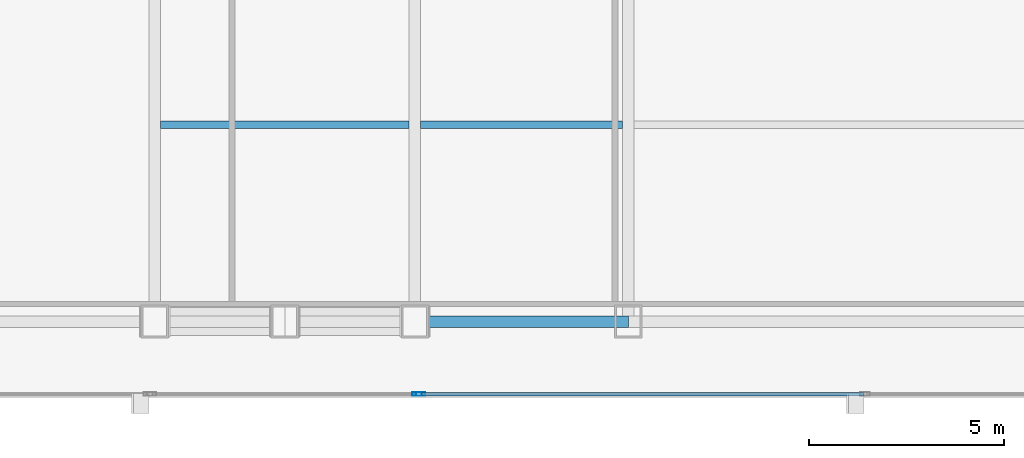
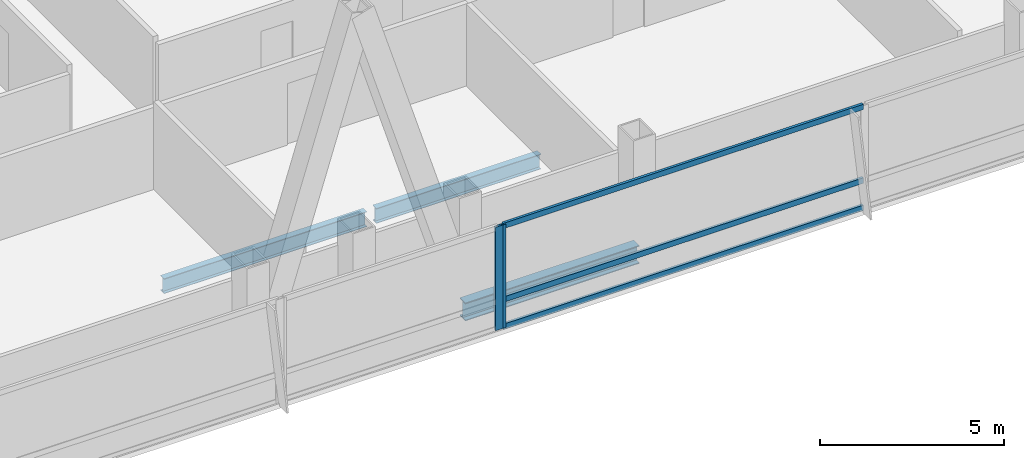
# One storey, part 8 of 30: 5 members, 3 beams, 2 elements without a shape of their own.
"""IFC4 building model written with IfcOpenShell, lengths in metres."""

from ifc_helpers import new_model, si_unit, direction, frame, origin, origin_2d, place, context, subcontext, project, spatial, hollow_rectangle, i_section, extrude, material, material_profile, profile_set, type_object, element, aggregate, save


model = new_model("IFC4")

# Units and contexts
model_context = context("Model", 3, precision=1e-05, world=origin(), true_north=direction((0.0, 1.0)))
body_context = subcontext(model_context, "Body", "Model", "MODEL_VIEW")
ifc_project = project(units=[si_unit("LENGTHUNIT", "METRE"), si_unit("AREAUNIT", "SQUARE_METRE"), si_unit("VOLUMEUNIT", "CUBIC_METRE"), si_unit("PLANEANGLEUNIT", "RADIAN"), si_unit("MASSUNIT", "GRAM", prefix="KILO")], contexts=[model_context])

# Site, building, storey
site_placement = place(None, origin())
site = spatial("IfcSite", under=ifc_project, at=site_placement, CompositionType="ELEMENT")
building_placement = place(site_placement, origin())
building = spatial("IfcBuilding", under=site, at=building_placement, Name="Khoronbel Lancet Exchange", CompositionType="ELEMENT")
storey_placement = place(building_placement, frame((0.0, 0.0, 147.0)))
storey = spatial("IfcBuildingStorey", under=building, at=storey_placement, Name="L36", CompositionType="ELEMENT", Elevation=147.0)

# Beams
ifc_material_1 = material(Name="Steel S355", Category="steel")
ifc_material_profile_1 = material_profile(ifc_material_1, i_section(OverallWidth=0.199951171875, OverallDepth=0.5, WebThickness=0.01025390625, FlangeThickness=0.01611328125, at=origin_2d()), Name="IPE 500")
ifc_profile_set_1 = profile_set([ifc_material_profile_1], Name="Steel S355")
beam_type_1 = type_object("IfcBeamType", Name="BM-BJ3", PredefinedType="JOIST", material=ifc_profile_set_1)
beam_1_placement = place(storey_placement, frame((18.375, 15.199951171875, -0.409912109375), z_axis=(1.0, 0.0, 0.0), x_axis=(0.0, 1.0, 0.0)))
element("IfcBeam", 1, at=beam_1_placement, inside=storey, type_object=beam_type_1, Name="Level L36 secondary composite joist J01", PredefinedType="JOIST", context=body_context, shape_type="SweptSolid", body=[
    extrude(i_section(OverallWidth=0.199951171875, OverallDepth=0.5, WebThickness=0.01025390625, FlangeThickness=0.01611328125, at=origin_2d()), origin(), (0.0, 0.0, 1.0), 6.375),
])
beam_2_placement = place(storey_placement, frame((25.050048828125, 15.199951171875, -0.409912109375), z_axis=(1.0, 0.0, 0.0), x_axis=(0.0, 1.0, 0.0)))
element("IfcBeam", 2, at=beam_2_placement, inside=storey, type_object=beam_type_1, Name="Level L36 secondary composite joist J02", PredefinedType="JOIST", context=body_context, shape_type="SweptSolid", body=[
    extrude(i_section(OverallWidth=0.199951171875, OverallDepth=0.5, WebThickness=0.01025390625, FlangeThickness=0.01611328125, at=origin_2d()), origin(), (0.0, 0.0, 1.0), 5.175048828125),
])
ifc_material_profile_2 = material_profile(ifc_material_1, i_section(OverallWidth=0.300048828125, OverallDepth=0.60009765625, WebThickness=0.015380859375, FlangeThickness=0.030029296875, at=origin_2d()), Name="HEB 600")
ifc_profile_set_2 = profile_set([ifc_material_profile_2], Name="Steel S355")
beam_type_2 = type_object("IfcBeamType", Name="BM-BSP2", PredefinedType="SPANDREL", material=ifc_profile_set_2)
beam_3_placement = place(storey_placement, frame((24.89990234375, 10.14990234375, -0.4599609375), z_axis=(1.0, 0.0, 0.0), x_axis=(0.0, 1.0, 0.0)))
element("IfcBeam", 3, at=beam_3_placement, inside=storey, type_object=beam_type_2, Name="Level L36 perimeter spandrel beam SP04", PredefinedType="SPANDREL", context=body_context, shape_type="SweptSolid", body=[
    extrude(i_section(OverallWidth=0.300048828125, OverallDepth=0.60009765625, WebThickness=0.015380859375, FlangeThickness=0.030029296875, at=origin_2d()), origin(), (0.0, 0.0, 1.0), 5.47509765625),
])

# Curtain wall, member
ifc_material_2 = material(Name="Low-E Solar Control Insulating Glass", Category="glass")
curtain_wall_type = type_object("IfcCurtainWallType", Name="CW-3", PredefinedType="NOTDEFINED", material=ifc_material_2)
curtain_wall_1_placement = place(storey_placement, origin())
curtain_wall_1 = element("IfcCurtainWall", 4, at=curtain_wall_1_placement, inside=storey, type_object=curtain_wall_type, Name="Unitised curtain wall CW-L36-SWB", PredefinedType="NOTDEFINED")
ifc_material_3 = material(Name="Bronze-Anodised Aluminium 6063-T6", Category="aluminium")
ifc_material_profile_3 = material_profile(ifc_material_3, hollow_rectangle(XDim=0.0849609375, YDim=0.239990234375, WallThickness=0.006103515625, at=origin_2d()), Name="ALU MULLION 85x240")
ifc_profile_set_3 = profile_set([ifc_material_profile_3], Name="Bronze-Anodised Aluminium 6063-T6")
member_type_1 = type_object("IfcMemberType", Name="MEM-CWM1", PredefinedType="MULLION", material=ifc_profile_set_3)
member_1_placement = place(storey_placement, frame((24.95751953125, 8.2900390625, 0.0), z_axis=(0.0, 0.0, 1.0), x_axis=(0.0, 1.0, 0.0)))
member_1 = element("IfcMember", 5, at=member_1_placement, type_object=member_type_1, Name="CW3 mullion 2", PredefinedType="MULLION", context=body_context, shape_type="SweptSolid", body=[
    extrude(hollow_rectangle(XDim=0.0849609375, YDim=0.239990234375, WallThickness=0.006103515625, at=origin_2d()), origin(), (0.0, 0.0, 1.0), 3.43994140625),
])
aggregate(curtain_wall_1, [member_1])

# Curtain wall, members
curtain_wall_2_placement = place(storey_placement, origin())
curtain_wall_2 = element("IfcCurtainWall", 6, at=curtain_wall_2_placement, inside=storey, type_object=curtain_wall_type, Name="Unitised curtain wall CW-L36-SCV", PredefinedType="NOTDEFINED")
member_2_placement = place(storey_placement, frame((25.04248046875, 8.2900390625, 0.0), z_axis=(0.0, 0.0, 1.0), x_axis=(0.0, 1.0, 0.0)))
member_2 = element("IfcMember", 7, at=member_2_placement, type_object=member_type_1, Name="CW3 mullion 1", PredefinedType="MULLION", context=body_context, shape_type="SweptSolid", body=[
    extrude(hollow_rectangle(XDim=0.0849609375, YDim=0.239990234375, WallThickness=0.006103515625, at=origin_2d()), origin(), (0.0, 0.0, 1.0), 3.43994140625),
])
ifc_material_profile_4 = material_profile(ifc_material_3, hollow_rectangle(XDim=0.0849609375, YDim=0.179931640625, WallThickness=0.0048828125, at=origin_2d()), Name="ALU TRANSOM 85x180")
ifc_profile_set_4 = profile_set([ifc_material_profile_4], Name="Bronze-Anodised Aluminium 6063-T6")
member_type_2 = type_object("IfcMemberType", Name="MEM-CWT1", PredefinedType="USERDEFINED", material=ifc_profile_set_4)
member_3_placement = place(storey_placement, frame((25.0849609375, 8.2900390625, 0.04248046875), z_axis=(1.0, 0.0, 0.0), x_axis=(0.0, 1.0, 0.0)))
member_3 = element("IfcMember", 8, at=member_3_placement, type_object=member_type_2, Name="CW3 transom 1.1", ObjectType="TRANSOM", PredefinedType="USERDEFINED", context=body_context, shape_type="SweptSolid", body=[
    extrude(hollow_rectangle(XDim=0.0849609375, YDim=0.179931640625, WallThickness=0.0048828125, at=origin_2d()), origin(), (0.0, 0.0, 1.0), 11.322509765625),
])
member_4_placement = place(storey_placement, frame((25.0849609375, 8.2900390625, 0.949951171875), z_axis=(1.0, 0.0, 0.0), x_axis=(0.0, 1.0, 0.0)))
member_4 = element("IfcMember", 9, at=member_4_placement, type_object=member_type_2, Name="CW3 transom 1.2", ObjectType="TRANSOM", PredefinedType="USERDEFINED", context=body_context, shape_type="SweptSolid", body=[
    extrude(hollow_rectangle(XDim=0.0849609375, YDim=0.179931640625, WallThickness=0.0048828125, at=origin_2d()), origin(), (0.0, 0.0, 1.0), 11.322509765625),
])
member_5_placement = place(storey_placement, frame((25.0849609375, 8.2900390625, 3.3974609375), z_axis=(1.0, 0.0, 0.0), x_axis=(0.0, 1.0, 0.0)))
member_5 = element("IfcMember", 10, at=member_5_placement, type_object=member_type_2, Name="CW3 transom 1.3", ObjectType="TRANSOM", PredefinedType="USERDEFINED", context=body_context, shape_type="SweptSolid", body=[
    extrude(hollow_rectangle(XDim=0.0849609375, YDim=0.179931640625, WallThickness=0.0048828125, at=origin_2d()), origin(), (0.0, 0.0, 1.0), 11.322509765625),
])
aggregate(curtain_wall_2, [member_2, member_3, member_4, member_5])

save(model, "model.ifc")
